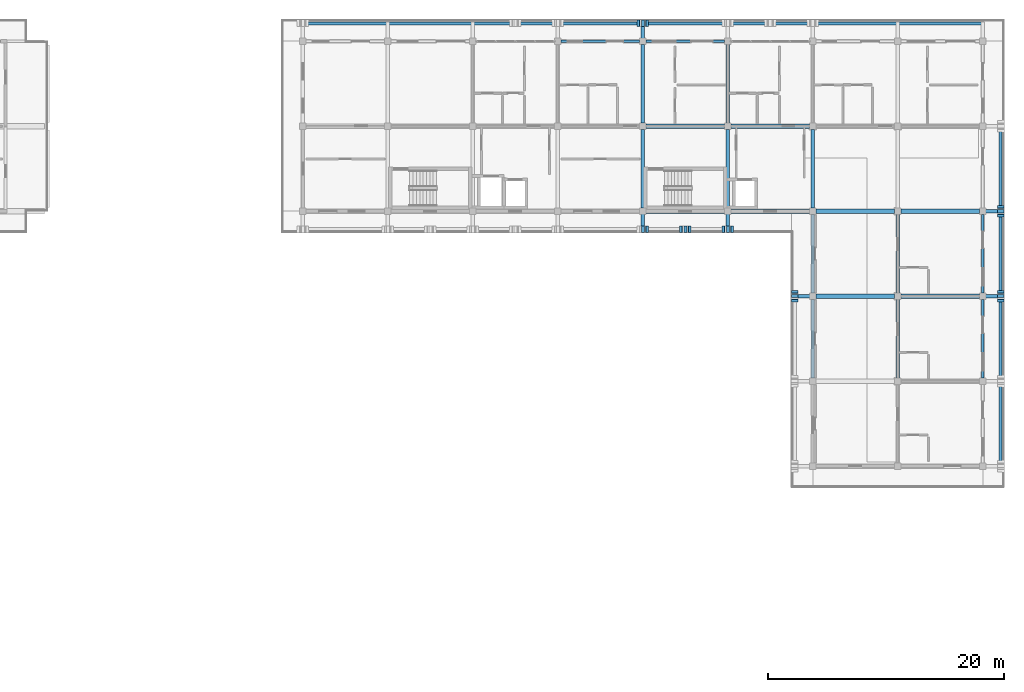
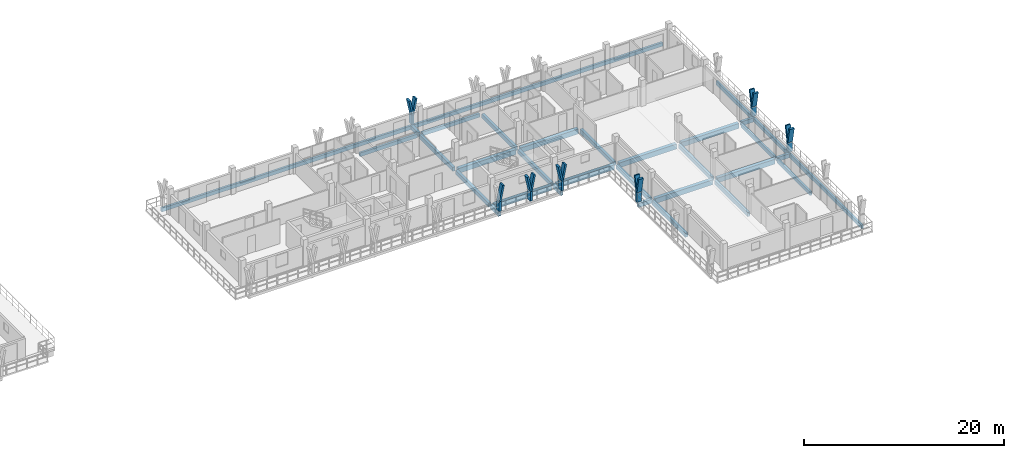
# One storey, part 26 of 67: 29 beams, 20 members.
"""IFC4 building model written with IfcOpenShell, lengths in metres."""

from ifc_helpers import new_model, si_unit, direction, frame, origin, origin_2d, place, context, subcontext, project, spatial, rectangle, extrude, material, material_profile, profile_set, type_object, element, save


model = new_model("IFC4")

# Units and contexts
model_context = context("Model", 3, precision=1e-05, world=origin(), true_north=direction((0.0, 1.0)))
body_context = subcontext(model_context, "Body", "Model", "MODEL_VIEW")
ifc_project = project(units=[si_unit("LENGTHUNIT", "METRE"), si_unit("AREAUNIT", "SQUARE_METRE"), si_unit("VOLUMEUNIT", "CUBIC_METRE"), si_unit("PLANEANGLEUNIT", "RADIAN"), si_unit("MASSUNIT", "GRAM", prefix="KILO")], contexts=[model_context])

# Site, building, storey
site_placement = place(None, origin())
site = spatial("IfcSite", under=ifc_project, at=site_placement, CompositionType="ELEMENT")
building_placement = place(site_placement, origin())
building = spatial("IfcBuilding", under=site, at=building_placement, Name="Suanplinth Sawtooth Commons", CompositionType="ELEMENT")
storey_placement = place(building_placement, frame((0.0, 0.0, 25.10009765625)))
storey = spatial("IfcBuildingStorey", under=building, at=storey_placement, Name="L07", CompositionType="ELEMENT", Elevation=25.10009765625)

# Beams
ifc_material_1 = material(Name="Precast concrete C40/50", Category="concrete")
ifc_material_profile_1 = material_profile(ifc_material_1, rectangle(XDim=0.39990234375, YDim=0.60009765625, at=origin_2d()), Name="PC-GDR 400x600")
ifc_profile_set_1 = profile_set([ifc_material_profile_1], Name="Precast concrete C40/50")
beam_type_1 = type_object("IfcBeamType", Name="B-05", PredefinedType="USERDEFINED", material=ifc_profile_set_1)
for number, where, z_axis, x_axis, name in (
    (1, (158.675048828125, 108.0, -0.52001953125), (1.0, 0.0, 0.0), (0.0, 1.0, 0.0), "BMX-L07-B-22-15"),
    (2, (158.675048828125, 115.199951171875, -0.52001953125), (1.0, 0.0, 0.0), (0.0, 1.0, 0.0), "BMX-L07-B-22-16"),
    (3, (165.875, 108.0, -0.52001953125), (1.0, 0.0, 0.0), (0.0, 1.0, 0.0), "BMX-L07-B-23-15"),
    (4, (165.875, 115.199951171875, -0.52001953125), (1.0, 0.0, 0.0), (0.0, 1.0, 0.0), "BMX-L07-B-23-16"),
):
    element("IfcBeam", number, at=place(storey_placement, frame(where, z_axis=z_axis, x_axis=x_axis)), inside=storey, type_object=beam_type_1, Name=name, ObjectType="GIRDER", PredefinedType="USERDEFINED", context=body_context, shape_type="SweptSolid", body=[
        extrude(rectangle(XDim=0.39990234375, YDim=0.60009765625, at=origin_2d()), origin(), (0.0, 0.0, 1.0), 6.64990234375),
    ])
for number, where, z_axis, x_axis, name in (
    (5, (173.074951171875, 100.800048828125, -0.52001953125), (1.0, 0.0, 0.0), (0.0, 1.0, 0.0), "BMX-L07-B-24-14"),
    (6, (173.074951171875, 108.0, -0.52001953125), (1.0, 0.0, 0.0), (0.0, 1.0, 0.0), "BMX-L07-B-24-15"),
    (7, (180.27490234375, 100.800048828125, -0.52001953125), (1.0, 0.0, 0.0), (0.0, 1.0, 0.0), "BMX-L07-B-25-14"),
    (8, (180.27490234375, 108.0, -0.52001953125), (1.0, 0.0, 0.0), (0.0, 1.0, 0.0), "BMX-L07-B-25-15"),
):
    element("IfcBeam", number, at=place(storey_placement, frame(where, z_axis=z_axis, x_axis=x_axis)), inside=storey, type_object=beam_type_1, Name=name, ObjectType="GIRDER", PredefinedType="USERDEFINED", context=body_context, shape_type="SweptSolid", body=[
        extrude(rectangle(XDim=0.39990234375, YDim=0.60009765625, at=origin_2d()), origin(), (0.0, 0.0, 1.0), 6.650146484375),
    ])
ifc_material_profile_2 = material_profile(ifc_material_1, rectangle(XDim=0.300048828125, YDim=0.5, at=origin_2d()), Name="PC-BM 300x500")
ifc_profile_set_2 = profile_set([ifc_material_profile_2], Name="Precast concrete C40/50")
beam_type_2 = type_object("IfcBeamType", Name="B-07", PredefinedType="BEAM", material=ifc_profile_set_2)
beam_1_placement = place(storey_placement, frame((158.39990234375, 108.27490234375, -0.47021484375), z_axis=(0.0, 1.0, 0.0), x_axis=(-1.0, 0.0, 0.0)))
element("IfcBeam", 9, at=beam_1_placement, inside=storey, type_object=beam_type_2, Name="BMY-L07-B-22-15", PredefinedType="BEAM", context=body_context, shape_type="SweptSolid", body=[
    extrude(rectangle(XDim=0.300048828125, YDim=0.5, at=origin_2d()), origin(), (0.0, 0.0, 1.0), 6.650146484375),
])
beam_2_placement = place(storey_placement, frame((158.39990234375, 115.47509765625, -0.47021484375), z_axis=(0.0, 1.0, 0.0), x_axis=(-1.0, 0.0, 0.0)))
element("IfcBeam", 10, at=beam_2_placement, inside=storey, type_object=beam_type_2, Name="BMY-L07-B-22-16", PredefinedType="BEAM", context=body_context, shape_type="SweptSolid", body=[
    extrude(rectangle(XDim=0.300048828125, YDim=0.5, at=origin_2d()), origin(), (0.0, 0.0, 1.0), 6.64990234375),
])
beam_3_placement = place(storey_placement, frame((165.60009765625, 108.27490234375, -0.47021484375), z_axis=(0.0, 1.0, 0.0), x_axis=(-1.0, 0.0, 0.0)))
element("IfcBeam", 11, at=beam_3_placement, inside=storey, type_object=beam_type_2, Name="BMY-L07-B-23-15", PredefinedType="BEAM", context=body_context, shape_type="SweptSolid", body=[
    extrude(rectangle(XDim=0.300048828125, YDim=0.5, at=origin_2d()), origin(), (0.0, 0.0, 1.0), 6.650146484375),
])
for number, where, z_axis, x_axis, name in (
    (12, (165.60009765625, 115.47509765625, -0.47021484375), (0.0, 1.0, 0.0), (-1.0, 0.0, 0.0), "BMY-L07-B-23-16"),
    (13, (172.800048828125, 93.875, -0.47021484375), (0.0, 1.0, 0.0), (-1.0, 0.0, 0.0), "BMY-L07-B-24-13"),
):
    element("IfcBeam", number, at=place(storey_placement, frame(where, z_axis=z_axis, x_axis=x_axis)), inside=storey, type_object=beam_type_2, Name=name, PredefinedType="BEAM", context=body_context, shape_type="SweptSolid", body=[
        extrude(rectangle(XDim=0.300048828125, YDim=0.5, at=origin_2d()), origin(), (0.0, 0.0, 1.0), 6.64990234375),
    ])
for number, where, z_axis, x_axis, name in (
    (14, (172.800048828125, 101.074951171875, -0.47021484375), (0.0, 1.0, 0.0), (-1.0, 0.0, 0.0), "BMY-L07-B-24-14"),
    (15, (172.800048828125, 108.27490234375, -0.47021484375), (0.0, 1.0, 0.0), (-1.0, 0.0, 0.0), "BMY-L07-B-24-15"),
):
    element("IfcBeam", number, at=place(storey_placement, frame(where, z_axis=z_axis, x_axis=x_axis)), inside=storey, type_object=beam_type_2, Name=name, PredefinedType="BEAM", context=body_context, shape_type="SweptSolid", body=[
        extrude(rectangle(XDim=0.300048828125, YDim=0.5, at=origin_2d()), origin(), (0.0, 0.0, 1.0), 6.650146484375),
    ])
beam_4_placement = place(storey_placement, frame((180.0, 93.875, -0.47021484375), z_axis=(0.0, 1.0, 0.0), x_axis=(-1.0, 0.0, 0.0)))
element("IfcBeam", 16, at=beam_4_placement, inside=storey, type_object=beam_type_2, Name="BMY-L07-B-25-13", PredefinedType="BEAM", context=body_context, shape_type="SweptSolid", body=[
    extrude(rectangle(XDim=0.300048828125, YDim=0.5, at=origin_2d()), origin(), (0.0, 0.0, 1.0), 6.64990234375),
])
beam_5_placement = place(storey_placement, frame((180.0, 101.074951171875, -0.47021484375), z_axis=(0.0, 1.0, 0.0), x_axis=(-1.0, 0.0, 0.0)))
element("IfcBeam", 17, at=beam_5_placement, inside=storey, type_object=beam_type_2, Name="BMY-L07-B-25-14", PredefinedType="BEAM", context=body_context, shape_type="SweptSolid", body=[
    extrude(rectangle(XDim=0.300048828125, YDim=0.5, at=origin_2d()), origin(), (0.0, 0.0, 1.0), 6.650146484375),
])
for number, where, z_axis, x_axis, name in (
    (18, (158.39990234375, 122.39990234375, -0.43017578125), (0.0, 1.0, 0.0), (-1.0, 0.0, 0.0), "Balcony Outrigger L07-B-N-22"),
    (19, (187.199951171875, 100.800048828125, -0.43017578125), (1.0, 0.0, 0.0), (0.0, 1.0, 0.0), "Balcony Outrigger L07-B-E-14"),
    (20, (187.199951171875, 108.0, -0.43017578125), (1.0, 0.0, 0.0), (0.0, 1.0, 0.0), "Balcony Outrigger L07-B-E-15"),
):
    element("IfcBeam", number, at=place(storey_placement, frame(where, z_axis=z_axis, x_axis=x_axis)), inside=storey, type_object=beam_type_2, Name=name, PredefinedType="BEAM", context=body_context, shape_type="SweptSolid", body=[
        extrude(rectangle(XDim=0.300048828125, YDim=0.5, at=origin_2d()), origin(), (0.0, 0.0, 1.0), 1.64013671875),
    ])
for number, where, z_axis, x_axis, name in (
    (21, (158.39990234375, 108.0, -0.425048828125), (0.0, -1.0, 0.0), (1.0, 0.0, 0.0), "Balcony Outrigger L07-B-SC-22"),
    (22, (165.60009765625, 108.0, -0.425048828125), (0.0, -1.0, 0.0), (1.0, 0.0, 0.0), "Balcony Outrigger L07-B-SC-23"),
):
    element("IfcBeam", number, at=place(storey_placement, frame(where, z_axis=z_axis, x_axis=x_axis)), inside=storey, type_object=beam_type_2, Name=name, PredefinedType="BEAM", context=body_context, shape_type="SweptSolid", body=[
        extrude(rectangle(XDim=0.300048828125, YDim=0.5, at=origin_2d()), origin(), (0.0, 0.0, 1.0), 1.639892578125),
    ])
beam_6_placement = place(storey_placement, frame((172.800048828125, 100.800048828125, -0.425048828125), z_axis=(-1.0, 0.0, 0.0), x_axis=(0.0, -1.0, 0.0)))
element("IfcBeam", 23, at=beam_6_placement, inside=storey, type_object=beam_type_2, Name="Balcony Outrigger L07-B-WC-14", PredefinedType="BEAM", context=body_context, shape_type="SweptSolid", body=[
    extrude(rectangle(XDim=0.300048828125, YDim=0.5, at=origin_2d()), origin(), (0.0, 0.0, 1.0), 1.64013671875),
])
ifc_material_profile_3 = material_profile(ifc_material_1, rectangle(XDim=0.25, YDim=0.449951171875, at=origin_2d()), Name="PC-SP 250x450")
ifc_profile_set_3 = profile_set([ifc_material_profile_3], Name="Precast concrete C40/50")
beam_type_3 = type_object("IfcBeamType", Name="B-09", PredefinedType="SPANDREL", material=ifc_profile_set_3)
for number, where, z_axis, x_axis, name in (
    (24, (151.47509765625, 122.39990234375, -0.445068359375), (1.0, 0.0, 0.0), (0.0, 1.0, 0.0), "BMX-L07-B-21-17"),
    (25, (158.675048828125, 122.39990234375, -0.445068359375), (1.0, 0.0, 0.0), (0.0, 1.0, 0.0), "BMX-L07-B-22-17"),
    (26, (187.199951171875, 93.875, -0.445068359375), (0.0, 1.0, 0.0), (-1.0, 0.0, 0.0), "BMY-L07-B-26-13"),
):
    element("IfcBeam", number, at=place(storey_placement, frame(where, z_axis=z_axis, x_axis=x_axis)), inside=storey, type_object=beam_type_3, Name=name, PredefinedType="SPANDREL", context=body_context, shape_type="SweptSolid", body=[
        extrude(rectangle(XDim=0.25, YDim=0.449951171875, at=origin_2d()), origin(), (0.0, 0.0, 1.0), 6.64990234375),
    ])
beam_7_placement = place(storey_placement, frame((187.199951171875, 101.074951171875, -0.445068359375), z_axis=(0.0, 1.0, 0.0), x_axis=(-1.0, 0.0, 0.0)))
element("IfcBeam", 27, at=beam_7_placement, inside=storey, type_object=beam_type_3, Name="BMY-L07-B-26-14", PredefinedType="SPANDREL", context=body_context, shape_type="SweptSolid", body=[
    extrude(rectangle(XDim=0.25, YDim=0.449951171875, at=origin_2d()), origin(), (0.0, 0.0, 1.0), 6.650146484375),
])
beam_8_placement = place(storey_placement, frame((129.449951171875, 123.919921875, -0.405029296875), z_axis=(1.0, 0.0, 0.0), x_axis=(0.0, 1.0, 0.0)))
element("IfcBeam", 28, at=beam_8_placement, inside=storey, type_object=beam_type_3, Name="Balcony Edge Fascia L07-B-N", PredefinedType="SPANDREL", context=body_context, shape_type="SweptSolid", body=[
    extrude(rectangle(XDim=0.25, YDim=0.449951171875, at=origin_2d()), origin(), (0.0, 0.0, 1.0), 57.900146484375),
])
beam_9_placement = place(storey_placement, frame((188.719970703125, 86.25, -0.405029296875), z_axis=(0.0, 1.0, 0.0), x_axis=(-1.0, 0.0, 0.0)))
element("IfcBeam", 29, at=beam_9_placement, inside=storey, type_object=beam_type_3, Name="Balcony Edge Fascia L07-B-E", PredefinedType="SPANDREL", context=body_context, shape_type="SweptSolid", body=[
    extrude(rectangle(XDim=0.25, YDim=0.449951171875, at=origin_2d()), origin(), (0.0, 0.0, 1.0), 29.10009765625),
])

# Members
ifc_material_2 = material(Name="Pigmented precast concrete C40/50", Category="concrete")
ifc_material_profile_4 = material_profile(ifc_material_2, rectangle(XDim=0.260009765625, YDim=0.550048828125, at=origin_2d()), Name="PC-FIN 260x550")
ifc_profile_set_4 = profile_set([ifc_material_profile_4], Name="Pigmented precast concrete C40/50")
member_type_1 = type_object("IfcMemberType", Name="M-09", PredefinedType="USERDEFINED", material=ifc_profile_set_4)
for number, where, z_axis, x_axis, name in (
    (30, (158.39990234375, 123.919921875, 0.0), (0.0, 0.0, 1.0), (1.0, 0.0, 0.0), "Y-Blade Stem L07-B-N-04"),
    (31, (188.719970703125, 100.800048828125, 0.0), (0.0, 0.0, 1.0), (0.0, 1.0, 0.0), "Y-Blade Stem L07-B-E-10"),
    (32, (188.719970703125, 108.0, 0.0), (0.0, 0.0, 1.0), (0.0, 1.0, 0.0), "Y-Blade Stem L07-B-E-11"),
    (33, (158.39990234375, 106.47998046875, 0.0), (0.0, 0.0, 1.0), (1.0, 0.0, 0.0), "Y-Blade Stem L07-B-SC-19"),
    (34, (162.0, 106.47998046875, 0.0), (0.0, 0.0, 1.0), (1.0, 0.0, 0.0), "Y-Blade Stem L07-B-SC-20"),
    (35, (165.60009765625, 106.47998046875, 0.0), (0.0, 0.0, 1.0), (1.0, 0.0, 0.0), "Y-Blade Stem L07-B-SC-21"),
    (36, (171.280029296875, 100.800048828125, 0.0), (0.0, 0.0, 1.0), (0.0, 1.0, 0.0), "Y-Blade Stem L07-B-WC-24"),
):
    element("IfcMember", number, at=place(storey_placement, frame(where, z_axis=z_axis, x_axis=x_axis)), inside=storey, type_object=member_type_1, Name=name, ObjectType="SHADING FIN", PredefinedType="USERDEFINED", context=body_context, shape_type="SweptSolid", body=[
        extrude(rectangle(XDim=0.260009765625, YDim=0.550048828125, at=origin_2d()), origin(), (0.0, 0.0, 1.0), 1.169921875),
    ])
ifc_material_profile_5 = material_profile(ifc_material_2, rectangle(XDim=0.219970703125, YDim=0.550048828125, at=origin_2d()), Name="PC-FIN 220x550")
ifc_profile_set_5 = profile_set([ifc_material_profile_5], Name="Pigmented precast concrete C40/50")
member_type_2 = type_object("IfcMemberType", Name="M-10", PredefinedType="USERDEFINED", material=ifc_profile_set_5)
member_1_placement = place(storey_placement, frame((158.39990234375, 123.919921875, 1.1298828125), z_axis=(-0.196309979414, 0.0, 0.980541886909), x_axis=(0.980541886909, 0.0, 0.196309979414)))
element("IfcMember", 37, at=member_1_placement, inside=storey, type_object=member_type_2, Name="Y-Blade Arm L L07-B-N-04", ObjectType="SHADING FIN", PredefinedType="USERDEFINED", context=body_context, shape_type="SweptSolid", body=[
    extrude(rectangle(XDim=0.219970703125, YDim=0.550048828125, at=origin_2d()), origin(), (0.0, 0.0, 1.0), 1.9375),
])
for number, where, z_axis, x_axis, name in (
    (38, (158.39990234375, 123.919921875, 1.1298828125), (0.196431120402, 0.0, 0.980517626021), (-0.980517626021, 0.0, 0.196431120402), "Y-Blade Arm R L07-B-N-04"),
    (39, (188.719970703125, 100.800048828125, 1.1298828125), (0.0, -0.196431120402, 0.980517626021), (0.0, 0.980517626021, 0.196431120402), "Y-Blade Arm L L07-B-E-10"),
):
    element("IfcMember", number, at=place(storey_placement, frame(where, z_axis=z_axis, x_axis=x_axis)), inside=storey, type_object=member_type_2, Name=name, ObjectType="SHADING FIN", PredefinedType="USERDEFINED", context=body_context, shape_type="SweptSolid", body=[
        extrude(rectangle(XDim=0.219970703125, YDim=0.550048828125, at=origin_2d()), origin(), (0.0, 0.0, 1.0), 1.937744140625),
    ])
member_2_placement = place(storey_placement, frame((188.719970703125, 100.800048828125, 1.1298828125), z_axis=(0.0, 0.196309979414, 0.980541886909), x_axis=(0.0, -0.980541886909, 0.196309979414)))
element("IfcMember", 40, at=member_2_placement, inside=storey, type_object=member_type_2, Name="Y-Blade Arm R L07-B-E-10", ObjectType="SHADING FIN", PredefinedType="USERDEFINED", context=body_context, shape_type="SweptSolid", body=[
    extrude(rectangle(XDim=0.219970703125, YDim=0.550048828125, at=origin_2d()), origin(), (0.0, 0.0, 1.0), 1.9375),
])
for number, where, z_axis, x_axis, name in (
    (41, (188.719970703125, 108.0, 1.1298828125), (0.0, -0.196431120402, 0.980517626021), (0.0, 0.980517626021, 0.196431120402), "Y-Blade Arm L L07-B-E-11"),
    (42, (188.719970703125, 108.0, 1.1298828125), (0.0, 0.196431120402, 0.980517626021), (0.0, -0.980517626021, 0.196431120402), "Y-Blade Arm R L07-B-E-11"),
    (43, (158.39990234375, 106.47998046875, 1.1298828125), (0.196431120402, 0.0, 0.980517626021), (-0.980517626021, 0.0, 0.196431120402), "Y-Blade Arm R L07-B-SC-19"),
    (44, (162.0, 106.47998046875, 1.1298828125), (-0.196431120402, 0.0, 0.980517626021), (0.980517626021, 0.0, 0.196431120402), "Y-Blade Arm L L07-B-SC-20"),
    (45, (162.0, 106.47998046875, 1.1298828125), (0.196431120402, 0.0, 0.980517626021), (-0.980517626021, 0.0, 0.196431120402), "Y-Blade Arm R L07-B-SC-20"),
    (46, (165.60009765625, 106.47998046875, 1.1298828125), (-0.196431120402, 0.0, 0.980517626021), (0.980517626021, 0.0, 0.196431120402), "Y-Blade Arm L L07-B-SC-21"),
):
    element("IfcMember", number, at=place(storey_placement, frame(where, z_axis=z_axis, x_axis=x_axis)), inside=storey, type_object=member_type_2, Name=name, ObjectType="SHADING FIN", PredefinedType="USERDEFINED", context=body_context, shape_type="SweptSolid", body=[
        extrude(rectangle(XDim=0.219970703125, YDim=0.550048828125, at=origin_2d()), origin(), (0.0, 0.0, 1.0), 1.937744140625),
    ])
member_3_placement = place(storey_placement, frame((165.60009765625, 106.47998046875, 1.1298828125), z_axis=(0.196309979414, 0.0, 0.980541886909), x_axis=(-0.980541886909, 0.0, 0.196309979414)))
element("IfcMember", 47, at=member_3_placement, inside=storey, type_object=member_type_2, Name="Y-Blade Arm R L07-B-SC-21", ObjectType="SHADING FIN", PredefinedType="USERDEFINED", context=body_context, shape_type="SweptSolid", body=[
    extrude(rectangle(XDim=0.219970703125, YDim=0.550048828125, at=origin_2d()), origin(), (0.0, 0.0, 1.0), 1.9375),
])
member_4_placement = place(storey_placement, frame((171.280029296875, 100.800048828125, 1.1298828125), z_axis=(0.0, -0.196431120402, 0.980517626021), x_axis=(0.0, 0.980517626021, 0.196431120402)))
element("IfcMember", 48, at=member_4_placement, inside=storey, type_object=member_type_2, Name="Y-Blade Arm L L07-B-WC-24", ObjectType="SHADING FIN", PredefinedType="USERDEFINED", context=body_context, shape_type="SweptSolid", body=[
    extrude(rectangle(XDim=0.219970703125, YDim=0.550048828125, at=origin_2d()), origin(), (0.0, 0.0, 1.0), 1.937744140625),
])
member_5_placement = place(storey_placement, frame((171.280029296875, 100.800048828125, 1.1298828125), z_axis=(0.0, 0.196309979414, 0.980541886909), x_axis=(0.0, -0.980541886909, 0.196309979414)))
element("IfcMember", 49, at=member_5_placement, inside=storey, type_object=member_type_2, Name="Y-Blade Arm R L07-B-WC-24", ObjectType="SHADING FIN", PredefinedType="USERDEFINED", context=body_context, shape_type="SweptSolid", body=[
    extrude(rectangle(XDim=0.219970703125, YDim=0.550048828125, at=origin_2d()), origin(), (0.0, 0.0, 1.0), 1.9375),
])

save(model, "model.ifc")
